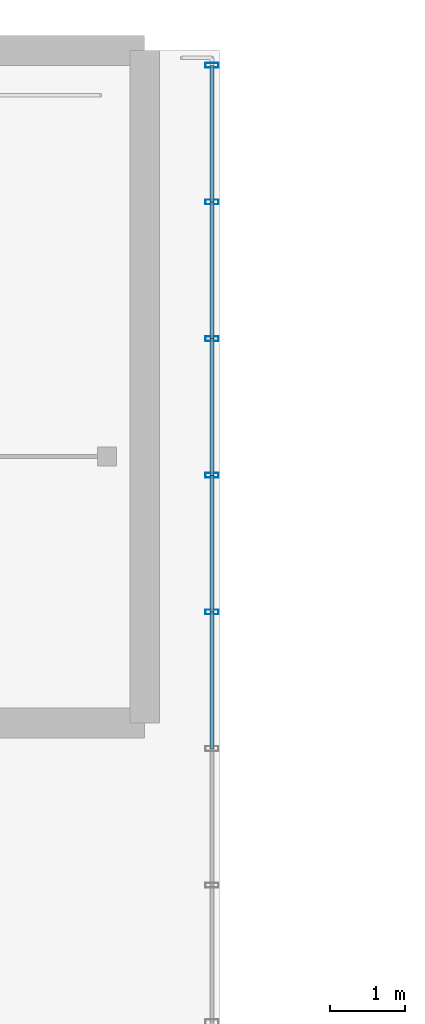
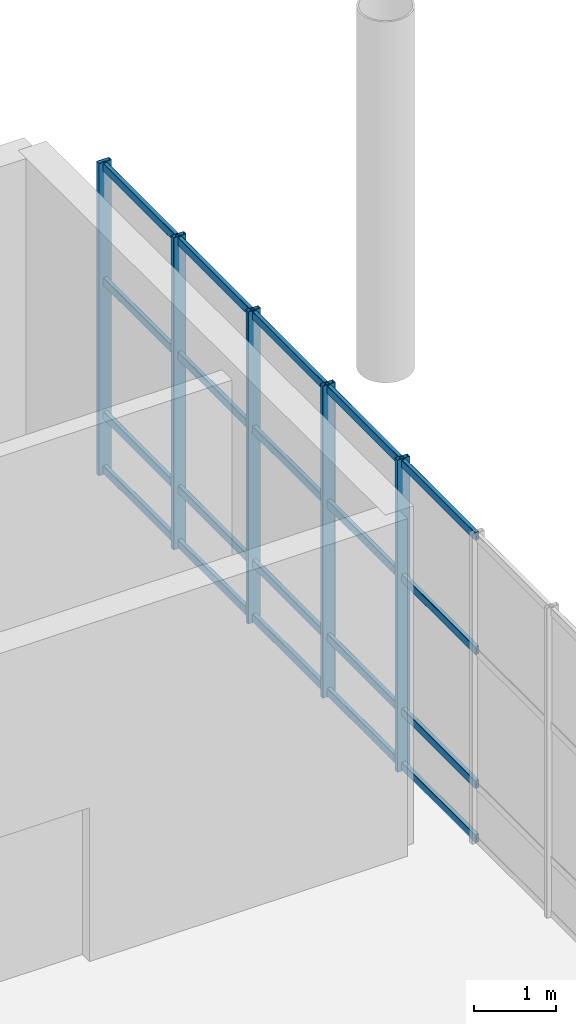
# One storey, part 118 of 176: 25 members, 1 element without a shape of its own.
"""IFC4 building model written with IfcOpenShell, lengths in metres."""

from ifc_helpers import new_model, si_unit, direction, frame, origin, origin_2d, place, context, subcontext, project, spatial, hollow_rectangle, extrude, material, layer, layer_set, material_profile, profile_set, type_object, element, aggregate, save


model = new_model("IFC4")

# Units and contexts
model_context = context("Model", 3, precision=1e-05, world=origin(), true_north=direction((0.0, 1.0)))
body_context = subcontext(model_context, "Body", "Model", "MODEL_VIEW")
ifc_project = project(units=[si_unit("LENGTHUNIT", "METRE"), si_unit("AREAUNIT", "SQUARE_METRE"), si_unit("VOLUMEUNIT", "CUBIC_METRE"), si_unit("PLANEANGLEUNIT", "RADIAN"), si_unit("MASSUNIT", "GRAM", prefix="KILO")], contexts=[model_context])

# Site, building, storey
site_placement = place(None, origin())
site = spatial("IfcSite", under=ifc_project, at=site_placement, CompositionType="ELEMENT")
building_placement = place(site_placement, origin())
building = spatial("IfcBuilding", under=site, at=building_placement, Name="Khorjan Park Terminus", CompositionType="ELEMENT")
storey_placement = place(building_placement, frame((0.0, 0.0, 6.0)))
storey = spatial("IfcBuildingStorey", under=building, at=storey_placement, Name="L01", CompositionType="ELEMENT", Elevation=6.0)

# Curtain wall, members
ifc_material = material(Name="Anodized Bronze Aluminium", Category="aluminium")
ifc_layer = layer(ifc_material, 0.22)
ifc_layer_set = layer_set([ifc_layer], Name="Anodized Bronze Aluminium")
curtain_wall_type = type_object("IfcCurtainWallType", Name="CW-BRG-D", PredefinedType="NOTDEFINED", material=ifc_layer_set)
curtain_wall_placement = place(storey_placement, origin())
curtain_wall = element("IfcCurtainWall", 1, at=curtain_wall_placement, inside=storey, type_object=curtain_wall_type, Name="Unitized curtain wall CW-D (CW-BRE-E-4)", PredefinedType="NOTDEFINED")
ifc_material_profile_1 = material_profile(ifc_material, hollow_rectangle(XDim=0.065, YDim=0.18, WallThickness=0.004, InnerFilletRadius=0.004, OuterFilletRadius=0.008, at=origin_2d()), Name="ALM 65x180x4")
ifc_profile_set_1 = profile_set([ifc_material_profile_1], Name="Anodized Bronze Aluminium")
member_type_1 = type_object("IfcMemberType", Name="ML-ALM-180", PredefinedType="MULLION", material=ifc_profile_set_1)
member_1_placement = place(storey_placement, frame((131.9, 146.4857, -0.035), z_axis=(0.0, 0.0, 1.0), x_axis=(0.0, 1.0, 0.0)))
member_1 = element("IfcMember", 2, at=member_1_placement, type_object=member_type_1, Name="Curtain-wall mullion ML-18 (CW-BRE-E-4-3)", PredefinedType="MULLION", context=body_context, shape_type="SweptSolid", body=[
    extrude(hollow_rectangle(XDim=0.065, YDim=0.18, WallThickness=0.004, InnerFilletRadius=0.004, OuterFilletRadius=0.008, at=origin_2d()), origin(), (0.0, 0.0, 1.0), 4.67),
])
member_2_placement = place(storey_placement, frame((131.9, 148.3143, -0.035), z_axis=(0.0, 0.0, 1.0), x_axis=(0.0, 1.0, 0.0)))
member_2 = element("IfcMember", 3, at=member_2_placement, type_object=member_type_1, Name="Curtain-wall mullion ML-18 (CW-BRE-E-4-4)", PredefinedType="MULLION", context=body_context, shape_type="SweptSolid", body=[
    extrude(hollow_rectangle(XDim=0.065, YDim=0.18, WallThickness=0.004, InnerFilletRadius=0.004, OuterFilletRadius=0.008, at=origin_2d()), origin(), (0.0, 0.0, 1.0), 4.67),
])
member_3_placement = place(storey_placement, frame((131.9, 150.1429, -0.035), z_axis=(0.0, 0.0, 1.0), x_axis=(0.0, 1.0, 0.0)))
member_3 = element("IfcMember", 4, at=member_3_placement, type_object=member_type_1, Name="Curtain-wall mullion ML-18 (CW-BRE-E-4-5)", PredefinedType="MULLION", context=body_context, shape_type="SweptSolid", body=[
    extrude(hollow_rectangle(XDim=0.065, YDim=0.18, WallThickness=0.004, InnerFilletRadius=0.004, OuterFilletRadius=0.008, at=origin_2d()), origin(), (0.0, 0.0, 1.0), 4.67),
])
member_4_placement = place(storey_placement, frame((131.9, 151.9714, -0.035), z_axis=(0.0, 0.0, 1.0), x_axis=(0.0, 1.0, 0.0)))
member_4 = element("IfcMember", 5, at=member_4_placement, type_object=member_type_1, Name="Curtain-wall mullion ML-18 (CW-BRE-E-4-6)", PredefinedType="MULLION", context=body_context, shape_type="SweptSolid", body=[
    extrude(hollow_rectangle(XDim=0.065, YDim=0.18, WallThickness=0.004, InnerFilletRadius=0.004, OuterFilletRadius=0.008, at=origin_2d()), origin(), (0.0, 0.0, 1.0), 4.67),
])
member_5_placement = place(storey_placement, frame((131.9, 153.8, -0.035), z_axis=(0.0, 0.0, 1.0), x_axis=(0.0, 1.0, 0.0)))
member_5 = element("IfcMember", 6, at=member_5_placement, type_object=member_type_1, Name="Curtain-wall mullion ML-18 (CW-BRE-E-4-7)", PredefinedType="MULLION", context=body_context, shape_type="SweptSolid", body=[
    extrude(hollow_rectangle(XDim=0.065, YDim=0.18, WallThickness=0.004, InnerFilletRadius=0.004, OuterFilletRadius=0.008, at=origin_2d()), origin(), (0.0, 0.0, 1.0), 4.67),
])
ifc_material_profile_2 = material_profile(ifc_material, hollow_rectangle(XDim=0.06, YDim=0.12, WallThickness=0.004, InnerFilletRadius=0.004, OuterFilletRadius=0.008, at=origin_2d()), Name="ALT 60x120x4")
ifc_profile_set_2 = profile_set([ifc_material_profile_2], Name="Anodized Bronze Aluminium")
member_type_2 = type_object("IfcMemberType", Name="TR-ALT-120", PredefinedType="USERDEFINED", material=ifc_profile_set_2)
member_6_placement = place(storey_placement, frame((131.9, 144.6571, 0.04), z_axis=(0.0, 1.0, 0.0), x_axis=(-1.0, 0.0, 0.0)))
member_6 = element("IfcMember", 7, at=member_6_placement, type_object=member_type_2, Name="Curtain-wall transom TR-12 (CW-BRE-E-4-2-1)", ObjectType="TRANSOM", PredefinedType="USERDEFINED", context=body_context, shape_type="SweptSolid", body=[
    extrude(hollow_rectangle(XDim=0.06, YDim=0.12, WallThickness=0.004, InnerFilletRadius=0.004, OuterFilletRadius=0.008, at=origin_2d()), origin(), (0.0, 0.0, 1.0), 1.8286),
])
member_7_placement = place(storey_placement, frame((131.9, 144.6571, 0.85), z_axis=(0.0, 1.0, 0.0), x_axis=(-1.0, 0.0, 0.0)))
member_7 = element("IfcMember", 8, at=member_7_placement, type_object=member_type_2, Name="Curtain-wall transom TR-12 (CW-BRE-E-4-2-2)", ObjectType="TRANSOM", PredefinedType="USERDEFINED", context=body_context, shape_type="SweptSolid", body=[
    extrude(hollow_rectangle(XDim=0.06, YDim=0.12, WallThickness=0.004, InnerFilletRadius=0.004, OuterFilletRadius=0.008, at=origin_2d()), origin(), (0.0, 0.0, 1.0), 1.8286),
])
member_8_placement = place(storey_placement, frame((131.9, 144.6571, 2.852), z_axis=(0.0, 1.0, 0.0), x_axis=(-1.0, 0.0, 0.0)))
member_8 = element("IfcMember", 9, at=member_8_placement, type_object=member_type_2, Name="Curtain-wall transom TR-12 (CW-BRE-E-4-2-3)", ObjectType="TRANSOM", PredefinedType="USERDEFINED", context=body_context, shape_type="SweptSolid", body=[
    extrude(hollow_rectangle(XDim=0.06, YDim=0.12, WallThickness=0.004, InnerFilletRadius=0.004, OuterFilletRadius=0.008, at=origin_2d()), origin(), (0.0, 0.0, 1.0), 1.8286),
])
member_9_placement = place(storey_placement, frame((131.9, 144.6571, 4.56), z_axis=(0.0, 1.0, 0.0), x_axis=(-1.0, 0.0, 0.0)))
member_9 = element("IfcMember", 10, at=member_9_placement, type_object=member_type_2, Name="Curtain-wall transom TR-12 (CW-BRE-E-4-2-4)", ObjectType="TRANSOM", PredefinedType="USERDEFINED", context=body_context, shape_type="SweptSolid", body=[
    extrude(hollow_rectangle(XDim=0.06, YDim=0.12, WallThickness=0.004, InnerFilletRadius=0.004, OuterFilletRadius=0.008, at=origin_2d()), origin(), (0.0, 0.0, 1.0), 1.8286),
])
member_10_placement = place(storey_placement, frame((131.9, 146.4857, 0.04), z_axis=(0.0, 1.0, 0.0), x_axis=(-1.0, 0.0, 0.0)))
member_10 = element("IfcMember", 11, at=member_10_placement, type_object=member_type_2, Name="Curtain-wall transom TR-12 (CW-BRE-E-4-3-1)", ObjectType="TRANSOM", PredefinedType="USERDEFINED", context=body_context, shape_type="SweptSolid", body=[
    extrude(hollow_rectangle(XDim=0.06, YDim=0.12, WallThickness=0.004, InnerFilletRadius=0.004, OuterFilletRadius=0.008, at=origin_2d()), origin(), (0.0, 0.0, 1.0), 1.8286),
])
member_11_placement = place(storey_placement, frame((131.9, 146.4857, 0.85), z_axis=(0.0, 1.0, 0.0), x_axis=(-1.0, 0.0, 0.0)))
member_11 = element("IfcMember", 12, at=member_11_placement, type_object=member_type_2, Name="Curtain-wall transom TR-12 (CW-BRE-E-4-3-2)", ObjectType="TRANSOM", PredefinedType="USERDEFINED", context=body_context, shape_type="SweptSolid", body=[
    extrude(hollow_rectangle(XDim=0.06, YDim=0.12, WallThickness=0.004, InnerFilletRadius=0.004, OuterFilletRadius=0.008, at=origin_2d()), origin(), (0.0, 0.0, 1.0), 1.8286),
])
member_12_placement = place(storey_placement, frame((131.9, 146.4857, 2.852), z_axis=(0.0, 1.0, 0.0), x_axis=(-1.0, 0.0, 0.0)))
member_12 = element("IfcMember", 13, at=member_12_placement, type_object=member_type_2, Name="Curtain-wall transom TR-12 (CW-BRE-E-4-3-3)", ObjectType="TRANSOM", PredefinedType="USERDEFINED", context=body_context, shape_type="SweptSolid", body=[
    extrude(hollow_rectangle(XDim=0.06, YDim=0.12, WallThickness=0.004, InnerFilletRadius=0.004, OuterFilletRadius=0.008, at=origin_2d()), origin(), (0.0, 0.0, 1.0), 1.8286),
])
member_13_placement = place(storey_placement, frame((131.9, 146.4857, 4.56), z_axis=(0.0, 1.0, 0.0), x_axis=(-1.0, 0.0, 0.0)))
member_13 = element("IfcMember", 14, at=member_13_placement, type_object=member_type_2, Name="Curtain-wall transom TR-12 (CW-BRE-E-4-3-4)", ObjectType="TRANSOM", PredefinedType="USERDEFINED", context=body_context, shape_type="SweptSolid", body=[
    extrude(hollow_rectangle(XDim=0.06, YDim=0.12, WallThickness=0.004, InnerFilletRadius=0.004, OuterFilletRadius=0.008, at=origin_2d()), origin(), (0.0, 0.0, 1.0), 1.8286),
])
member_14_placement = place(storey_placement, frame((131.9, 148.3143, 0.04), z_axis=(0.0, 1.0, 0.0), x_axis=(-1.0, 0.0, 0.0)))
member_14 = element("IfcMember", 15, at=member_14_placement, type_object=member_type_2, Name="Curtain-wall transom TR-12 (CW-BRE-E-4-4-1)", ObjectType="TRANSOM", PredefinedType="USERDEFINED", context=body_context, shape_type="SweptSolid", body=[
    extrude(hollow_rectangle(XDim=0.06, YDim=0.12, WallThickness=0.004, InnerFilletRadius=0.004, OuterFilletRadius=0.008, at=origin_2d()), origin(), (0.0, 0.0, 1.0), 1.8286),
])
member_15_placement = place(storey_placement, frame((131.9, 148.3143, 0.85), z_axis=(0.0, 1.0, 0.0), x_axis=(-1.0, 0.0, 0.0)))
member_15 = element("IfcMember", 16, at=member_15_placement, type_object=member_type_2, Name="Curtain-wall transom TR-12 (CW-BRE-E-4-4-2)", ObjectType="TRANSOM", PredefinedType="USERDEFINED", context=body_context, shape_type="SweptSolid", body=[
    extrude(hollow_rectangle(XDim=0.06, YDim=0.12, WallThickness=0.004, InnerFilletRadius=0.004, OuterFilletRadius=0.008, at=origin_2d()), origin(), (0.0, 0.0, 1.0), 1.8286),
])
member_16_placement = place(storey_placement, frame((131.9, 148.3143, 2.852), z_axis=(0.0, 1.0, 0.0), x_axis=(-1.0, 0.0, 0.0)))
member_16 = element("IfcMember", 17, at=member_16_placement, type_object=member_type_2, Name="Curtain-wall transom TR-12 (CW-BRE-E-4-4-3)", ObjectType="TRANSOM", PredefinedType="USERDEFINED", context=body_context, shape_type="SweptSolid", body=[
    extrude(hollow_rectangle(XDim=0.06, YDim=0.12, WallThickness=0.004, InnerFilletRadius=0.004, OuterFilletRadius=0.008, at=origin_2d()), origin(), (0.0, 0.0, 1.0), 1.8286),
])
member_17_placement = place(storey_placement, frame((131.9, 148.3143, 4.56), z_axis=(0.0, 1.0, 0.0), x_axis=(-1.0, 0.0, 0.0)))
member_17 = element("IfcMember", 18, at=member_17_placement, type_object=member_type_2, Name="Curtain-wall transom TR-12 (CW-BRE-E-4-4-4)", ObjectType="TRANSOM", PredefinedType="USERDEFINED", context=body_context, shape_type="SweptSolid", body=[
    extrude(hollow_rectangle(XDim=0.06, YDim=0.12, WallThickness=0.004, InnerFilletRadius=0.004, OuterFilletRadius=0.008, at=origin_2d()), origin(), (0.0, 0.0, 1.0), 1.8286),
])
member_18_placement = place(storey_placement, frame((131.9, 150.1429, 0.04), z_axis=(0.0, 1.0, 0.0), x_axis=(-1.0, 0.0, 0.0)))
member_18 = element("IfcMember", 19, at=member_18_placement, type_object=member_type_2, Name="Curtain-wall transom TR-12 (CW-BRE-E-4-5-1)", ObjectType="TRANSOM", PredefinedType="USERDEFINED", context=body_context, shape_type="SweptSolid", body=[
    extrude(hollow_rectangle(XDim=0.06, YDim=0.12, WallThickness=0.004, InnerFilletRadius=0.004, OuterFilletRadius=0.008, at=origin_2d()), origin(), (0.0, 0.0, 1.0), 1.8285),
])
member_19_placement = place(storey_placement, frame((131.9, 150.1429, 0.85), z_axis=(0.0, 1.0, 0.0), x_axis=(-1.0, 0.0, 0.0)))
member_19 = element("IfcMember", 20, at=member_19_placement, type_object=member_type_2, Name="Curtain-wall transom TR-12 (CW-BRE-E-4-5-2)", ObjectType="TRANSOM", PredefinedType="USERDEFINED", context=body_context, shape_type="SweptSolid", body=[
    extrude(hollow_rectangle(XDim=0.06, YDim=0.12, WallThickness=0.004, InnerFilletRadius=0.004, OuterFilletRadius=0.008, at=origin_2d()), origin(), (0.0, 0.0, 1.0), 1.8285),
])
member_20_placement = place(storey_placement, frame((131.9, 150.1429, 2.852), z_axis=(0.0, 1.0, 0.0), x_axis=(-1.0, 0.0, 0.0)))
member_20 = element("IfcMember", 21, at=member_20_placement, type_object=member_type_2, Name="Curtain-wall transom TR-12 (CW-BRE-E-4-5-3)", ObjectType="TRANSOM", PredefinedType="USERDEFINED", context=body_context, shape_type="SweptSolid", body=[
    extrude(hollow_rectangle(XDim=0.06, YDim=0.12, WallThickness=0.004, InnerFilletRadius=0.004, OuterFilletRadius=0.008, at=origin_2d()), origin(), (0.0, 0.0, 1.0), 1.8285),
])
member_21_placement = place(storey_placement, frame((131.9, 150.1429, 4.56), z_axis=(0.0, 1.0, 0.0), x_axis=(-1.0, 0.0, 0.0)))
member_21 = element("IfcMember", 22, at=member_21_placement, type_object=member_type_2, Name="Curtain-wall transom TR-12 (CW-BRE-E-4-5-4)", ObjectType="TRANSOM", PredefinedType="USERDEFINED", context=body_context, shape_type="SweptSolid", body=[
    extrude(hollow_rectangle(XDim=0.06, YDim=0.12, WallThickness=0.004, InnerFilletRadius=0.004, OuterFilletRadius=0.008, at=origin_2d()), origin(), (0.0, 0.0, 1.0), 1.8285),
])
member_22_placement = place(storey_placement, frame((131.9, 151.9714, 0.04), z_axis=(0.0, 1.0, 0.0), x_axis=(-1.0, 0.0, 0.0)))
member_22 = element("IfcMember", 23, at=member_22_placement, type_object=member_type_2, Name="Curtain-wall transom TR-12 (CW-BRE-E-4-6-1)", ObjectType="TRANSOM", PredefinedType="USERDEFINED", context=body_context, shape_type="SweptSolid", body=[
    extrude(hollow_rectangle(XDim=0.06, YDim=0.12, WallThickness=0.004, InnerFilletRadius=0.004, OuterFilletRadius=0.008, at=origin_2d()), origin(), (0.0, 0.0, 1.0), 1.8286),
])
member_23_placement = place(storey_placement, frame((131.9, 151.9714, 0.85), z_axis=(0.0, 1.0, 0.0), x_axis=(-1.0, 0.0, 0.0)))
member_23 = element("IfcMember", 24, at=member_23_placement, type_object=member_type_2, Name="Curtain-wall transom TR-12 (CW-BRE-E-4-6-2)", ObjectType="TRANSOM", PredefinedType="USERDEFINED", context=body_context, shape_type="SweptSolid", body=[
    extrude(hollow_rectangle(XDim=0.06, YDim=0.12, WallThickness=0.004, InnerFilletRadius=0.004, OuterFilletRadius=0.008, at=origin_2d()), origin(), (0.0, 0.0, 1.0), 1.8286),
])
member_24_placement = place(storey_placement, frame((131.9, 151.9714, 2.852), z_axis=(0.0, 1.0, 0.0), x_axis=(-1.0, 0.0, 0.0)))
member_24 = element("IfcMember", 25, at=member_24_placement, type_object=member_type_2, Name="Curtain-wall transom TR-12 (CW-BRE-E-4-6-3)", ObjectType="TRANSOM", PredefinedType="USERDEFINED", context=body_context, shape_type="SweptSolid", body=[
    extrude(hollow_rectangle(XDim=0.06, YDim=0.12, WallThickness=0.004, InnerFilletRadius=0.004, OuterFilletRadius=0.008, at=origin_2d()), origin(), (0.0, 0.0, 1.0), 1.8286),
])
member_25_placement = place(storey_placement, frame((131.9, 151.9714, 4.56), z_axis=(0.0, 1.0, 0.0), x_axis=(-1.0, 0.0, 0.0)))
member_25 = element("IfcMember", 26, at=member_25_placement, type_object=member_type_2, Name="Curtain-wall transom TR-12 (CW-BRE-E-4-6-4)", ObjectType="TRANSOM", PredefinedType="USERDEFINED", context=body_context, shape_type="SweptSolid", body=[
    extrude(hollow_rectangle(XDim=0.06, YDim=0.12, WallThickness=0.004, InnerFilletRadius=0.004, OuterFilletRadius=0.008, at=origin_2d()), origin(), (0.0, 0.0, 1.0), 1.8286),
])
aggregate(curtain_wall, [member_1, member_2, member_3, member_4, member_5, member_6, member_7, member_8, member_9, member_10, member_11, member_12, member_13, member_14, member_15, member_16, member_17, member_18, member_19, member_20, member_21, member_22, member_23, member_24, member_25])

save(model, "model.ifc")
